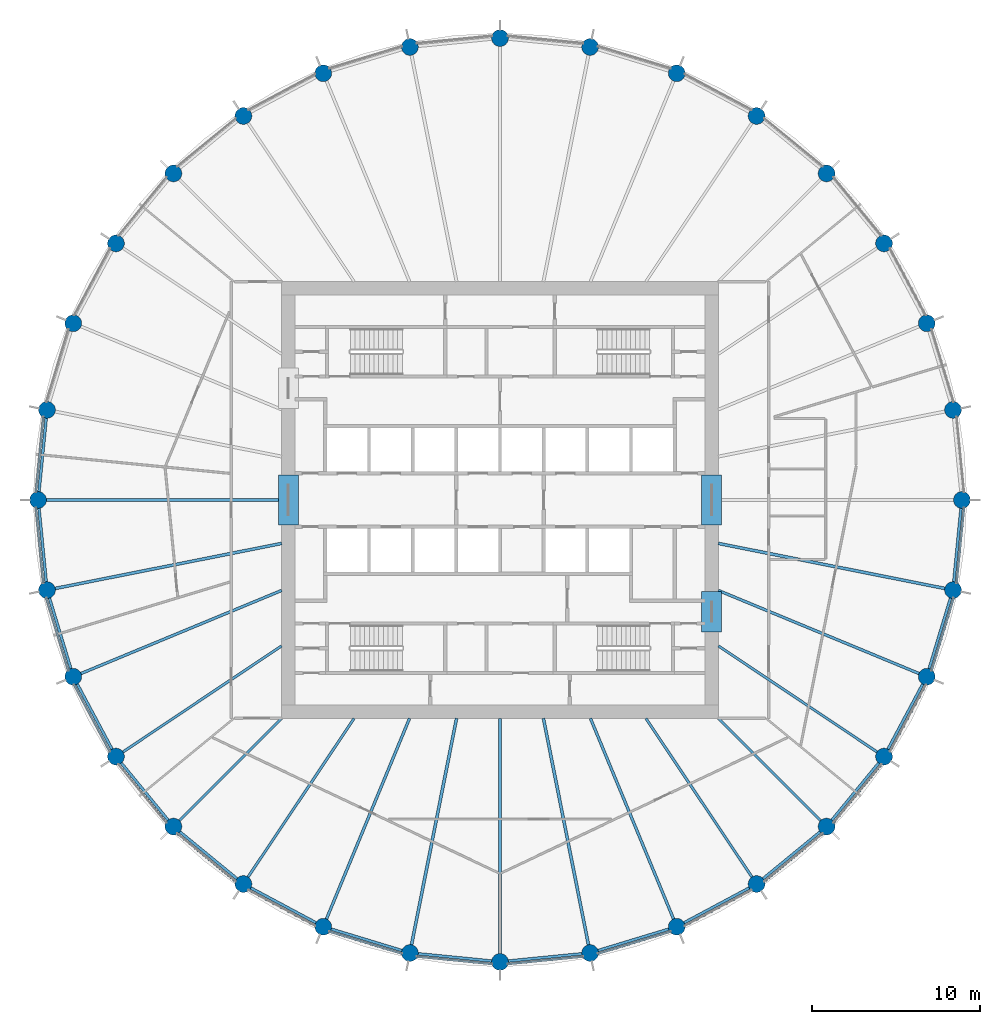
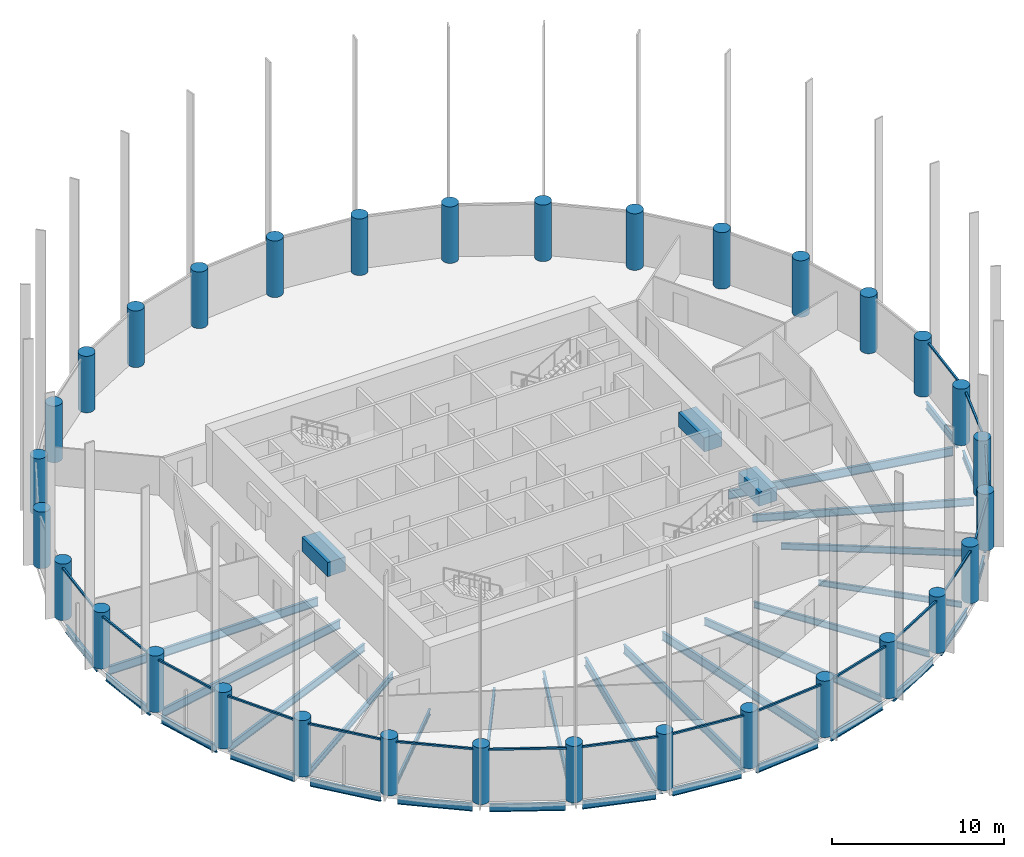
# One storey, part 1 of 9: 36 beams, 32 columns, 17 members, 17 elements without a shape of their own.
"""IFC4 building model written with IfcOpenShell, lengths in metres."""

from ifc_helpers import new_model, si_unit, direction, frame, origin, origin_2d, place, context, subcontext, project, spatial, rectangle, circle, i_section, extrude, material, material_profile, profile_set, type_object, element, aggregate, save


model = new_model("IFC4")

# Units and contexts
model_context = context("Model", 3, precision=1e-05, world=origin(), true_north=direction((0.0, 1.0)))
body_context = subcontext(model_context, "Body", "Model", "MODEL_VIEW")
ifc_project = project(units=[si_unit("LENGTHUNIT", "METRE"), si_unit("AREAUNIT", "SQUARE_METRE"), si_unit("VOLUMEUNIT", "CUBIC_METRE"), si_unit("PLANEANGLEUNIT", "RADIAN"), si_unit("MASSUNIT", "GRAM", prefix="KILO")], contexts=[model_context])

# Site, building, storey
site_placement = place(None, origin())
site = spatial("IfcSite", under=ifc_project, at=site_placement, CompositionType="ELEMENT")
building_placement = place(site_placement, origin())
building = spatial("IfcBuilding", under=site, at=building_placement, Name="Corvane Civic Tower", CompositionType="ELEMENT")
storey_placement = place(building_placement, frame((0.0, 0.0, 217.5)))
storey = spatial("IfcBuildingStorey", under=building, at=storey_placement, Name="L51", CompositionType="ELEMENT", Elevation=217.5)

# Columns
ifc_material_1 = material(Name="Concrete C60/75", Category="concrete")
ifc_material_profile_1 = material_profile(ifc_material_1, circle(Radius=0.5, at=origin_2d()), Name="COLUMN 1000")
ifc_profile_set_1 = profile_set([ifc_material_profile_1], Name="Concrete C60/75")
column_type = type_object("IfcColumnType", Name="RC COLUMN COLUMN 1000", PredefinedType="COLUMN", material=ifc_profile_set_1)
for number, where, z_axis, x_axis, name in (
    (1, (0.0, 27.5, 0.0), (0.0, 0.0, 1.0), (1.0, 0.0, 0.0), "COL-L51-D01"),
    (2, (5.364990234375, 26.9716796875, 0.0), (0.0, 0.0, 1.0), (1.0, 0.0, 0.0), "COL-L51-D02"),
    (3, (10.523681640625, 25.40673828125, 0.0), (0.0, 0.0, 1.0), (1.0, 0.0, 0.0), "COL-L51-D03"),
    (4, (15.278076171875, 22.865478515625, 0.0), (0.0, 0.0, 1.0), (1.0, 0.0, 0.0), "COL-L51-D04"),
    (5, (19.445556640625, 19.445556640625, 0.0), (0.0, 0.0, 1.0), (1.0, 0.0, 0.0), "COL-L51-D05"),
    (6, (22.865478515625, 15.278076171875, 0.0), (0.0, 0.0, 1.0), (1.0, 0.0, 0.0), "COL-L51-D06"),
    (7, (25.40673828125, 10.523681640625, 0.0), (0.0, 0.0, 1.0), (1.0, 0.0, 0.0), "COL-L51-D07"),
    (8, (26.9716796875, 5.364990234375, 0.0), (0.0, 0.0, 1.0), (1.0, 0.0, 0.0), "COL-L51-D08"),
    (9, (27.5, 0.0, 0.0), (0.0, 0.0, 1.0), (1.0, 0.0, 0.0), "COL-L51-D09"),
    (10, (26.9716796875, -5.364990234375, 0.0), (0.0, 0.0, 1.0), (1.0, 0.0, 0.0), "COL-L51-D10"),
    (11, (25.40673828125, -10.523681640625, 0.0), (0.0, 0.0, 1.0), (1.0, 0.0, 0.0), "COL-L51-D11"),
    (12, (22.865478515625, -15.278076171875, 0.0), (0.0, 0.0, 1.0), (1.0, 0.0, 0.0), "COL-L51-D12"),
    (13, (19.445556640625, -19.445556640625, 0.0), (0.0, 0.0, 1.0), (1.0, 0.0, 0.0), "COL-L51-D13"),
    (14, (15.278076171875, -22.865478515625, 0.0), (0.0, 0.0, 1.0), (1.0, 0.0, 0.0), "COL-L51-D14"),
    (15, (10.523681640625, -25.40673828125, 0.0), (0.0, 0.0, 1.0), (1.0, 0.0, 0.0), "COL-L51-D15"),
    (16, (5.364990234375, -26.9716796875, 0.0), (0.0, 0.0, 1.0), (1.0, 0.0, 0.0), "COL-L51-D16"),
    (17, (0.0, -27.5, 0.0), (0.0, 0.0, 1.0), (1.0, 0.0, 0.0), "COL-L51-D17"),
    (18, (-5.364990234375, -26.9716796875, 0.0), (0.0, 0.0, 1.0), (1.0, 0.0, 0.0), "COL-L51-D18"),
    (19, (-10.523681640625, -25.40673828125, 0.0), (0.0, 0.0, 1.0), (1.0, 0.0, 0.0), "COL-L51-D19"),
    (20, (-15.278076171875, -22.865478515625, 0.0), (0.0, 0.0, 1.0), (1.0, 0.0, 0.0), "COL-L51-D20"),
    (21, (-19.445556640625, -19.445556640625, 0.0), (0.0, 0.0, 1.0), (1.0, 0.0, 0.0), "COL-L51-D21"),
    (22, (-22.865478515625, -15.278076171875, 0.0), (0.0, 0.0, 1.0), (1.0, 0.0, 0.0), "COL-L51-D22"),
    (23, (-25.40673828125, -10.523681640625, 0.0), (0.0, 0.0, 1.0), (1.0, 0.0, 0.0), "COL-L51-D23"),
    (24, (-26.9716796875, -5.364990234375, 0.0), (0.0, 0.0, 1.0), (1.0, 0.0, 0.0), "COL-L51-D24"),
    (25, (-27.5, 0.0, 0.0), (0.0, 0.0, 1.0), (1.0, 0.0, 0.0), "COL-L51-D25"),
    (26, (-26.9716796875, 5.364990234375, 0.0), (0.0, 0.0, 1.0), (1.0, 0.0, 0.0), "COL-L51-D26"),
    (27, (-25.40673828125, 10.523681640625, 0.0), (0.0, 0.0, 1.0), (1.0, 0.0, 0.0), "COL-L51-D27"),
    (28, (-22.865478515625, 15.278076171875, 0.0), (0.0, 0.0, 1.0), (1.0, 0.0, 0.0), "COL-L51-D28"),
    (29, (-19.445556640625, 19.445556640625, 0.0), (0.0, 0.0, 1.0), (1.0, 0.0, 0.0), "COL-L51-D29"),
    (30, (-15.278076171875, 22.865478515625, 0.0), (0.0, 0.0, 1.0), (1.0, 0.0, 0.0), "COL-L51-D30"),
    (31, (-10.523681640625, 25.40673828125, 0.0), (0.0, 0.0, 1.0), (1.0, 0.0, 0.0), "COL-L51-D31"),
    (32, (-5.364990234375, 26.9716796875, 0.0), (0.0, 0.0, 1.0), (1.0, 0.0, 0.0), "COL-L51-D32"),
):
    element("IfcColumn", number, at=place(storey_placement, frame(where, z_axis=z_axis, x_axis=x_axis)), inside=storey, type_object=column_type, Name=name, PredefinedType="COLUMN", context=body_context, shape_type="SweptSolid", body=[
        extrude(circle(Radius=0.5, at=origin_2d()), origin(), (0.0, 0.0, 1.0), 4.0),
    ])

# Beams
ifc_material_2 = material(Name="Concrete C50/60", Category="concrete")
ifc_material_profile_2 = material_profile(ifc_material_2, rectangle(XDim=1.199951171875, YDim=1.0, at=origin_2d()), Name="COUPLING BEAM 1200X1000")
ifc_profile_set_2 = profile_set([ifc_material_profile_2], Name="Concrete C50/60")
beam_type_1 = type_object("IfcBeamType", Name="COUPLING BEAM COUPLING BEAM 1200X1000", PredefinedType="BEAM", material=ifc_profile_set_2)
for number, where, z_axis, x_axis, name in (
    (33, (-12.60009765625, -1.5, 2.60009765625), (0.0, 1.0, 0.0), (-1.0, 0.0, 0.0), "BM-L51-cpl-CW-LW"),
    (34, (12.60009765625, -1.5, 2.60009765625), (0.0, 1.0, 0.0), (-1.0, 0.0, 0.0), "BM-L51-cpl-CW-LE"),
):
    element("IfcBeam", number, at=place(storey_placement, frame(where, z_axis=z_axis, x_axis=x_axis)), inside=storey, type_object=beam_type_1, Name=name, PredefinedType="BEAM", context=body_context, shape_type="SweptSolid", body=[
        extrude(rectangle(XDim=1.199951171875, YDim=1.0, at=origin_2d()), origin(), (0.0, 0.0, 1.0), 3.0),
    ])
beam_1_placement = place(storey_placement, frame((12.60009765625, -7.85009765625, 2.60009765625), z_axis=(0.0, 1.0, 0.0), x_axis=(-1.0, 0.0, 0.0)))
element("IfcBeam", 35, at=beam_1_placement, inside=storey, type_object=beam_type_1, Name="BM-L51-cpl-CW-ES", PredefinedType="BEAM", context=body_context, shape_type="SweptSolid", body=[
    extrude(rectangle(XDim=1.199951171875, YDim=1.0, at=origin_2d()), origin(), (0.0, 0.0, 1.0), 2.400146484375),
])
ifc_material_3 = material(Name="Steel ASTM A992 Gr 50", Category="steel")
ifc_material_profile_3 = material_profile(ifc_material_3, i_section(OverallWidth=0.165771484375, OverallDepth=0.5283203125, WebThickness=0.009765625, FlangeThickness=0.013671875, at=origin_2d()), Name="W21X50")
ifc_profile_set_3 = profile_set([ifc_material_profile_3], Name="Steel ASTM A992 Gr 50")
beam_type_2 = type_object("IfcBeamType", Name="EDGE BEAM W21X50", PredefinedType="BEAM", material=ifc_profile_set_3)
beam_2_placement = place(storey_placement, frame((27.450927734375, -0.49755859375, -0.564208984375), z_axis=(-0.097967711281, -0.995189593769, 0.0), x_axis=(0.995189593769, -0.097967711281, 0.0)))
element("IfcBeam", 36, at=beam_2_placement, inside=storey, type_object=beam_type_2, Name="BM-L51-E09", PredefinedType="BEAM", context=body_context, shape_type="SweptSolid", body=[
    extrude(i_section(OverallWidth=0.165771484375, OverallDepth=0.5283203125, WebThickness=0.009765625, FlangeThickness=0.013671875, at=origin_2d()), origin(), (0.0, 0.0, 1.0), 4.39111328125),
])
beam_3_placement = place(storey_placement, frame((26.826416015625, -5.843505859375, -0.564208984375), z_axis=(-0.290254307888, -0.956949547653, 0.0), x_axis=(0.956949547653, -0.290254307888, 0.0)))
element("IfcBeam", 37, at=beam_3_placement, inside=storey, type_object=beam_type_2, Name="BM-L51-E10", PredefinedType="BEAM", context=body_context, shape_type="SweptSolid", body=[
    extrude(i_section(OverallWidth=0.165771484375, OverallDepth=0.5283203125, WebThickness=0.009765625, FlangeThickness=0.013671875, at=origin_2d()), origin(), (0.0, 0.0, 1.0), 4.390625),
])
for number, where, z_axis, x_axis, name in (
    (38, (25.171142578125, -10.964599609375, -0.564208984375), (-0.471422006704, -0.881907756852, 0.0), (0.881907756852, -0.471422006704, 0.0), "BM-L51-E11"),
    (39, (22.54833984375, -15.66455078125, -0.564208984375), (-0.634369433447, -0.773030026524, 0.0), (0.773030026524, -0.634369433447, 0.0), "BM-L51-E12"),
    (40, (19.05908203125, -19.7626953125, -0.564208984375), (-0.773030026524, -0.634369433447, 0.0), (0.634369433447, -0.773030026524, 0.0), "BM-L51-E13"),
    (41, (14.837158203125, -23.10107421875, -0.564208984375), (-0.881907756852, -0.471422006704, 0.0), (0.471422006704, -0.881907756852, 0.0), "BM-L51-E14"),
):
    element("IfcBeam", number, at=place(storey_placement, frame(where, z_axis=z_axis, x_axis=x_axis)), inside=storey, type_object=beam_type_2, Name=name, PredefinedType="BEAM", context=body_context, shape_type="SweptSolid", body=[
        extrude(i_section(OverallWidth=0.165771484375, OverallDepth=0.5283203125, WebThickness=0.009765625, FlangeThickness=0.013671875, at=origin_2d()), origin(), (0.0, 0.0, 1.0), 4.39111328125),
    ])
beam_4_placement = place(storey_placement, frame((10.045166015625, -25.552001953125, -0.564208984375), z_axis=(-0.956949547653, -0.290254307888, 0.0), x_axis=(0.290254307888, -0.956949547653, 0.0)))
element("IfcBeam", 42, at=beam_4_placement, inside=storey, type_object=beam_type_2, Name="BM-L51-E15", PredefinedType="BEAM", context=body_context, shape_type="SweptSolid", body=[
    extrude(i_section(OverallWidth=0.165771484375, OverallDepth=0.5283203125, WebThickness=0.009765625, FlangeThickness=0.013671875, at=origin_2d()), origin(), (0.0, 0.0, 1.0), 4.390625),
])
for number, where, z_axis, x_axis, name in (
    (43, (4.867431640625, -27.020751953125, -0.564208984375), (-0.995189593769, -0.097967711281, 0.0), (0.097967711281, -0.995189593769, 0.0), "BM-L51-E16"),
    (44, (-0.49755859375, -27.450927734375, -0.564208984375), (-0.995189593769, 0.097967711281, 0.0), (-0.097967711281, -0.995189593769, 0.0), "BM-L51-E17"),
):
    element("IfcBeam", number, at=place(storey_placement, frame(where, z_axis=z_axis, x_axis=x_axis)), inside=storey, type_object=beam_type_2, Name=name, PredefinedType="BEAM", context=body_context, shape_type="SweptSolid", body=[
        extrude(i_section(OverallWidth=0.165771484375, OverallDepth=0.5283203125, WebThickness=0.009765625, FlangeThickness=0.013671875, at=origin_2d()), origin(), (0.0, 0.0, 1.0), 4.39111328125),
    ])
beam_5_placement = place(storey_placement, frame((-5.843505859375, -26.826416015625, -0.564208984375), z_axis=(-0.956949547653, 0.290254307888, 0.0), x_axis=(-0.290254307888, -0.956949547653, 0.0)))
element("IfcBeam", 45, at=beam_5_placement, inside=storey, type_object=beam_type_2, Name="BM-L51-E18", PredefinedType="BEAM", context=body_context, shape_type="SweptSolid", body=[
    extrude(i_section(OverallWidth=0.165771484375, OverallDepth=0.5283203125, WebThickness=0.009765625, FlangeThickness=0.013671875, at=origin_2d()), origin(), (0.0, 0.0, 1.0), 4.390625),
])
for number, where, z_axis, x_axis, name in (
    (46, (-10.964599609375, -25.171142578125, -0.564208984375), (-0.881907756852, 0.471422006704, 0.0), (-0.471422006704, -0.881907756852, 0.0), "BM-L51-E19"),
    (47, (-15.66455078125, -22.54833984375, -0.564208984375), (-0.773030026524, 0.634369433447, 0.0), (-0.634369433447, -0.773030026524, 0.0), "BM-L51-E20"),
    (48, (-19.7626953125, -19.05908203125, -0.564208984375), (-0.634369433447, 0.773030026524, 0.0), (-0.773030026524, -0.634369433447, 0.0), "BM-L51-E21"),
    (49, (-23.10107421875, -14.837158203125, -0.564208984375), (-0.471422006704, 0.881907756852, 0.0), (-0.881907756852, -0.471422006704, 0.0), "BM-L51-E22"),
):
    element("IfcBeam", number, at=place(storey_placement, frame(where, z_axis=z_axis, x_axis=x_axis)), inside=storey, type_object=beam_type_2, Name=name, PredefinedType="BEAM", context=body_context, shape_type="SweptSolid", body=[
        extrude(i_section(OverallWidth=0.165771484375, OverallDepth=0.5283203125, WebThickness=0.009765625, FlangeThickness=0.013671875, at=origin_2d()), origin(), (0.0, 0.0, 1.0), 4.39111328125),
    ])
beam_6_placement = place(storey_placement, frame((-25.552001953125, -10.045166015625, -0.564208984375), z_axis=(-0.290254307888, 0.956949547653, 0.0), x_axis=(-0.956949547653, -0.290254307888, 0.0)))
element("IfcBeam", 50, at=beam_6_placement, inside=storey, type_object=beam_type_2, Name="BM-L51-E23", PredefinedType="BEAM", context=body_context, shape_type="SweptSolid", body=[
    extrude(i_section(OverallWidth=0.165771484375, OverallDepth=0.5283203125, WebThickness=0.009765625, FlangeThickness=0.013671875, at=origin_2d()), origin(), (0.0, 0.0, 1.0), 4.390625),
])
for number, where, z_axis, x_axis, name in (
    (51, (-27.020751953125, -4.867431640625, -0.564208984375), (-0.097967711281, 0.995189593769, 0.0), (-0.995189593769, -0.097967711281, 0.0), "BM-L51-E24"),
    (52, (-27.450927734375, 0.49755859375, -0.564208984375), (0.097967711281, 0.995189593769, 0.0), (-0.995189593769, 0.097967711281, 0.0), "BM-L51-E25"),
):
    element("IfcBeam", number, at=place(storey_placement, frame(where, z_axis=z_axis, x_axis=x_axis)), inside=storey, type_object=beam_type_2, Name=name, PredefinedType="BEAM", context=body_context, shape_type="SweptSolid", body=[
        extrude(i_section(OverallWidth=0.165771484375, OverallDepth=0.5283203125, WebThickness=0.009765625, FlangeThickness=0.013671875, at=origin_2d()), origin(), (0.0, 0.0, 1.0), 4.39111328125),
    ])
ifc_material_4 = material(Name="Steel ASTM A992 Gr 50", Category="steel")
ifc_material_profile_4 = material_profile(ifc_material_4, i_section(OverallWidth=0.140380859375, OverallDepth=0.40380859375, WebThickness=0.007080078125, FlangeThickness=0.01123046875, at=origin_2d()), Name="W16X31")
ifc_profile_set_4 = profile_set([ifc_material_profile_4], Name="Steel ASTM A992 Gr 50")
beam_type_3 = type_object("IfcBeamType", Name="FLOOR GIRDER W16X31", PredefinedType="BEAM", material=ifc_profile_set_4)
for number, where, z_axis, x_axis, name in (
    (53, (13.0, -13.0, -0.501953125), (0.707106781187, -0.707106781187, 0.0), (0.707106781187, 0.707106781187, 0.0), "BM-L51-G13"),
    (54, (-13.0, -13.0, -0.501953125), (-0.707106781187, -0.707106781187, 0.0), (0.707106781187, -0.707106781187, 0.0), "BM-L51-G21"),
):
    element("IfcBeam", number, at=place(storey_placement, frame(where, z_axis=z_axis, x_axis=x_axis)), inside=storey, type_object=beam_type_3, Name=name, PredefinedType="BEAM", context=body_context, shape_type="SweptSolid", body=[
        extrude(i_section(OverallWidth=0.140380859375, OverallDepth=0.40380859375, WebThickness=0.007080078125, FlangeThickness=0.01123046875, at=origin_2d()), origin(), (0.0, 0.0, 1.0), 8.614990234375),
    ])
ifc_material_5 = material(Name="Steel ASTM A992 Gr 50", Category="steel")
ifc_material_profile_5 = material_profile(ifc_material_5, i_section(OverallWidth=0.15283203125, OverallDepth=0.45458984375, WebThickness=0.008056640625, FlangeThickness=0.013427734375, at=origin_2d()), Name="W18X40")
ifc_profile_set_5 = profile_set([ifc_material_profile_5], Name="Steel ASTM A992 Gr 50")
beam_type_4 = type_object("IfcBeamType", Name="FLOOR GIRDER W18X40", PredefinedType="BEAM", material=ifc_profile_set_5)
for number, where, z_axis, x_axis, name in (
    (55, (13.0, -8.686279296875, -0.52734375), (0.831464872557, -0.555577326485, 0.0), (0.555577326485, 0.831464872557, 0.0), "BM-L51-G12"),
    (56, (8.686279296875, -13.0, -0.52734375), (0.555577326485, -0.831464872557, 0.0), (0.831464872557, 0.555577326485, 0.0), "BM-L51-G14"),
    (57, (-8.686279296875, -13.0, -0.52734375), (-0.555577326485, -0.831464872557, 0.0), (0.831464872557, -0.555577326485, 0.0), "BM-L51-G20"),
    (58, (-13.0, -8.686279296875, -0.52734375), (-0.831464872557, -0.555577326485, 0.0), (0.555577326485, -0.831464872557, 0.0), "BM-L51-G22"),
):
    element("IfcBeam", number, at=place(storey_placement, frame(where, z_axis=z_axis, x_axis=x_axis)), inside=storey, type_object=beam_type_4, Name=name, PredefinedType="BEAM", context=body_context, shape_type="SweptSolid", body=[
        extrude(i_section(OverallWidth=0.15283203125, OverallDepth=0.45458984375, WebThickness=0.008056640625, FlangeThickness=0.013427734375, at=origin_2d()), origin(), (0.0, 0.0, 1.0), 11.365234375),
    ])
ifc_material_6 = material(Name="Steel ASTM A992 Gr 50", Category="steel")
ifc_material_profile_6 = material_profile(ifc_material_6, i_section(OverallWidth=0.165771484375, OverallDepth=0.5283203125, WebThickness=0.009765625, FlangeThickness=0.013671875, at=origin_2d()), Name="W21X50")
ifc_profile_set_6 = profile_set([ifc_material_profile_6], Name="Steel ASTM A992 Gr 50")
beam_type_5 = type_object("IfcBeamType", Name="FLOOR GIRDER W21X50", PredefinedType="BEAM", material=ifc_profile_set_6)
for number, where, z_axis, x_axis, name in (
    (59, (13.0, -5.384765625, -0.564208984375), (0.923878282404, -0.382686450378, 0.0), (0.382686450378, 0.923878282404, 0.0), "BM-L51-G11"),
    (60, (5.384765625, -13.0, -0.564208984375), (0.382686450378, -0.923878282404, 0.0), (0.923878282404, 0.382686450378, 0.0), "BM-L51-G15"),
    (61, (-5.384765625, -13.0, -0.564208984375), (-0.382686450378, -0.923878282404, 0.0), (0.923878282404, -0.382686450378, 0.0), "BM-L51-G19"),
    (62, (-13.0, -5.384765625, -0.564208984375), (-0.923878282404, -0.382686450378, 0.0), (0.382686450378, -0.923878282404, 0.0), "BM-L51-G23"),
):
    element("IfcBeam", number, at=place(storey_placement, frame(where, z_axis=z_axis, x_axis=x_axis)), inside=storey, type_object=beam_type_5, Name=name, PredefinedType="BEAM", context=body_context, shape_type="SweptSolid", body=[
        extrude(i_section(OverallWidth=0.165771484375, OverallDepth=0.5283203125, WebThickness=0.009765625, FlangeThickness=0.013671875, at=origin_2d()), origin(), (0.0, 0.0, 1.0), 12.928955078125),
    ])
ifc_material_7 = material(Name="Steel ASTM A992 Gr 50", Category="steel")
ifc_material_profile_7 = material_profile(ifc_material_7, i_section(OverallWidth=0.177978515625, OverallDepth=0.599365234375, WebThickness=0.010009765625, FlangeThickness=0.012939453125, at=origin_2d()), Name="W24X55")
ifc_profile_set_7 = profile_set([ifc_material_profile_7], Name="Steel ASTM A992 Gr 50")
beam_type_6 = type_object("IfcBeamType", Name="FLOOR GIRDER W24X55", PredefinedType="BEAM", material=ifc_profile_set_7)
for number, where, z_axis, x_axis, name in (
    (63, (13.0, -2.5859375, -0.599609375), (0.980787802109, -0.195077644118, 0.0), (0.195077644118, 0.980787802109, 0.0), "BM-L51-G10"),
    (64, (2.5859375, -13.0, -0.599609375), (0.195077644118, -0.980787802109, 0.0), (0.980787802109, 0.195077644118, 0.0), "BM-L51-G16"),
):
    element("IfcBeam", number, at=place(storey_placement, frame(where, z_axis=z_axis, x_axis=x_axis)), inside=storey, type_object=beam_type_6, Name=name, PredefinedType="BEAM", context=body_context, shape_type="SweptSolid", body=[
        extrude(i_section(OverallWidth=0.177978515625, OverallDepth=0.599365234375, WebThickness=0.010009765625, FlangeThickness=0.012939453125, at=origin_2d()), origin(), (0.0, 0.0, 1.0), 13.745361328125),
    ])
beam_7_placement = place(storey_placement, frame((0.0, -13.0, -0.599609375), z_axis=(0.0, -1.0, 0.0), x_axis=(1.0, 0.0, 0.0)))
element("IfcBeam", 65, at=beam_7_placement, inside=storey, type_object=beam_type_6, Name="BM-L51-G17", PredefinedType="BEAM", context=body_context, shape_type="SweptSolid", body=[
    extrude(i_section(OverallWidth=0.177978515625, OverallDepth=0.599365234375, WebThickness=0.010009765625, FlangeThickness=0.012939453125, at=origin_2d()), origin(), (0.0, 0.0, 1.0), 14.0),
])
for number, where, z_axis, x_axis, name in (
    (66, (-2.5859375, -13.0, -0.599609375), (-0.195077644118, -0.980787802109, 0.0), (0.980787802109, -0.195077644118, 0.0), "BM-L51-G18"),
    (67, (-13.0, -2.5859375, -0.599609375), (-0.980787802109, -0.195077644118, 0.0), (0.195077644118, -0.980787802109, 0.0), "BM-L51-G24"),
):
    element("IfcBeam", number, at=place(storey_placement, frame(where, z_axis=z_axis, x_axis=x_axis)), inside=storey, type_object=beam_type_6, Name=name, PredefinedType="BEAM", context=body_context, shape_type="SweptSolid", body=[
        extrude(i_section(OverallWidth=0.177978515625, OverallDepth=0.599365234375, WebThickness=0.010009765625, FlangeThickness=0.012939453125, at=origin_2d()), origin(), (0.0, 0.0, 1.0), 13.745361328125),
    ])
beam_8_placement = place(storey_placement, frame((-13.0, 0.0, -0.599609375), z_axis=(-1.0, 0.0, 0.0), x_axis=(0.0, -1.0, 0.0)))
element("IfcBeam", 68, at=beam_8_placement, inside=storey, type_object=beam_type_6, Name="BM-L51-G25", PredefinedType="BEAM", context=body_context, shape_type="SweptSolid", body=[
    extrude(i_section(OverallWidth=0.177978515625, OverallDepth=0.599365234375, WebThickness=0.010009765625, FlangeThickness=0.012939453125, at=origin_2d()), origin(), (0.0, 0.0, 1.0), 14.0),
])

# Curtain wall, member
ifc_material_8 = material(Name="Anodised aluminium bronze", Category="aluminium")
curtain_wall_type = type_object("IfcCurtainWallType", Name="TOWER CW-T2 STICK CURTAIN WALL", PredefinedType="NOTDEFINED", material=ifc_material_8)
curtain_wall_1_placement = place(storey_placement, origin())
curtain_wall_1 = element("IfcCurtainWall", 69, at=curtain_wall_1_placement, inside=storey, type_object=curtain_wall_type, Name="Curtain wall CW-T2 L51 bay 09", PredefinedType="NOTDEFINED")
ifc_material_9 = material(Name="Anodised aluminium bronze", Category="aluminium")
ifc_material_profile_8 = material_profile(ifc_material_9, rectangle(XDim=0.1201171875, YDim=0.1201171875, at=origin_2d()), Name="TOWER CW-T2 TRANSOM 120x120")
ifc_profile_set_8 = profile_set([ifc_material_profile_8], Name="Anodised aluminium bronze")
member_type = type_object("IfcMemberType", Name="TOWER CW-T2 TRANSOM 120x120", PredefinedType="USERDEFINED", material=ifc_profile_set_8)
member_1_placement = place(storey_placement, frame((27.635498046875, -0.452392578125, 3.68994140625), z_axis=(-0.098042715701, -0.995182207386, 0.0), x_axis=(0.995182207386, -0.098042715701, 0.0)))
member_1 = element("IfcMember", 70, at=member_1_placement, type_object=member_type, Name="Transom CW-T2 L51 09.1", ObjectType="TRANSOM", PredefinedType="USERDEFINED", context=body_context, shape_type="SweptSolid", body=[
    extrude(rectangle(XDim=0.1201171875, YDim=0.1201171875, at=origin_2d()), origin(), (0.0, 0.0, 1.0), 4.51708984375),
])
aggregate(curtain_wall_1, [member_1])

curtain_wall_2_placement = place(storey_placement, origin())
curtain_wall_2 = element("IfcCurtainWall", 71, at=curtain_wall_2_placement, inside=storey, type_object=curtain_wall_type, Name="Curtain wall CW-T2 L51 bay 10", PredefinedType="NOTDEFINED")
member_2_placement = place(storey_placement, frame((27.016357421875, -5.8349609375, 3.68994140625), z_axis=(-0.2902818869, -0.956941182173, 0.0), x_axis=(0.956941182173, -0.2902818869, 0.0)))
member_2 = element("IfcMember", 72, at=member_2_placement, type_object=member_type, Name="Transom CW-T2 L51 10.1", ObjectType="TRANSOM", PredefinedType="USERDEFINED", context=body_context, shape_type="SweptSolid", body=[
    extrude(rectangle(XDim=0.1201171875, YDim=0.1201171875, at=origin_2d()), origin(), (0.0, 0.0, 1.0), 4.517333984375),
])
aggregate(curtain_wall_2, [member_2])

curtain_wall_3_placement = place(storey_placement, origin())
curtain_wall_3 = element("IfcCurtainWall", 73, at=curtain_wall_3_placement, inside=storey, type_object=curtain_wall_type, Name="Curtain wall CW-T2 L51 bay 11", PredefinedType="NOTDEFINED")
member_3_placement = place(storey_placement, frame((25.35888671875, -10.993408203125, 3.68994140625), z_axis=(-0.471390317183, -0.881924695689, 0.0), x_axis=(0.881924695689, -0.471390317183, 0.0)))
member_3 = element("IfcMember", 74, at=member_3_placement, type_object=member_type, Name="Transom CW-T2 L51 11.1", ObjectType="TRANSOM", PredefinedType="USERDEFINED", context=body_context, shape_type="SweptSolid", body=[
    extrude(rectangle(XDim=0.1201171875, YDim=0.1201171875, at=origin_2d()), origin(), (0.0, 0.0, 1.0), 4.517333984375),
])
aggregate(curtain_wall_3, [member_3])

curtain_wall_4_placement = place(storey_placement, origin())
curtain_wall_4 = element("IfcCurtainWall", 75, at=curtain_wall_4_placement, inside=storey, type_object=curtain_wall_type, Name="Curtain wall CW-T2 L51 bay 12", PredefinedType="NOTDEFINED")
member_4_placement = place(storey_placement, frame((22.726806640625, -15.7294921875, 3.68994140625), z_axis=(-0.634387834569, -0.773014925698, 0.0), x_axis=(0.773014925698, -0.634387834569, 0.0)))
member_4 = element("IfcMember", 76, at=member_4_placement, type_object=member_type, Name="Transom CW-T2 L51 12.1", ObjectType="TRANSOM", PredefinedType="USERDEFINED", context=body_context, shape_type="SweptSolid", body=[
    extrude(rectangle(XDim=0.1201171875, YDim=0.1201171875, at=origin_2d()), origin(), (0.0, 0.0, 1.0), 4.517333984375),
])
aggregate(curtain_wall_4, [member_4])

curtain_wall_5_placement = place(storey_placement, origin())
curtain_wall_5 = element("IfcCurtainWall", 77, at=curtain_wall_5_placement, inside=storey, type_object=curtain_wall_type, Name="Curtain wall CW-T2 L51 bay 13", PredefinedType="NOTDEFINED")
member_5_placement = place(storey_placement, frame((19.221435546875, -19.861083984375, 3.68994140625), z_axis=(-0.773014925698, -0.634387834569, 0.0), x_axis=(0.634387834569, -0.773014925698, 0.0)))
member_5 = element("IfcMember", 78, at=member_5_placement, type_object=member_type, Name="Transom CW-T2 L51 13.1", ObjectType="TRANSOM", PredefinedType="USERDEFINED", context=body_context, shape_type="SweptSolid", body=[
    extrude(rectangle(XDim=0.1201171875, YDim=0.1201171875, at=origin_2d()), origin(), (0.0, 0.0, 1.0), 4.517333984375),
])
aggregate(curtain_wall_5, [member_5])

curtain_wall_6_placement = place(storey_placement, origin())
curtain_wall_6 = element("IfcCurtainWall", 79, at=curtain_wall_6_placement, inside=storey, type_object=curtain_wall_type, Name="Curtain wall CW-T2 L51 bay 14", PredefinedType="NOTDEFINED")
member_6_placement = place(storey_placement, frame((14.977294921875, -23.2294921875, 3.68994140625), z_axis=(-0.881924695689, -0.471390317183, 0.0), x_axis=(0.471390317183, -0.881924695689, 0.0)))
member_6 = element("IfcMember", 80, at=member_6_placement, type_object=member_type, Name="Transom CW-T2 L51 14.1", ObjectType="TRANSOM", PredefinedType="USERDEFINED", context=body_context, shape_type="SweptSolid", body=[
    extrude(rectangle(XDim=0.1201171875, YDim=0.1201171875, at=origin_2d()), origin(), (0.0, 0.0, 1.0), 4.517333984375),
])
aggregate(curtain_wall_6, [member_6])

curtain_wall_7_placement = place(storey_placement, origin())
curtain_wall_7 = element("IfcCurtainWall", 81, at=curtain_wall_7_placement, inside=storey, type_object=curtain_wall_type, Name="Curtain wall CW-T2 L51 bay 15", PredefinedType="NOTDEFINED")
member_7_placement = place(storey_placement, frame((10.15771484375, -25.705078125, 3.68994140625), z_axis=(-0.956941182173, -0.2902818869, 0.0), x_axis=(0.2902818869, -0.956941182173, 0.0)))
member_7 = element("IfcMember", 82, at=member_7_placement, type_object=member_type, Name="Transom CW-T2 L51 15.1", ObjectType="TRANSOM", PredefinedType="USERDEFINED", context=body_context, shape_type="SweptSolid", body=[
    extrude(rectangle(XDim=0.1201171875, YDim=0.1201171875, at=origin_2d()), origin(), (0.0, 0.0, 1.0), 4.517333984375),
])
aggregate(curtain_wall_7, [member_7])

curtain_wall_8_placement = place(storey_placement, origin())
curtain_wall_8 = element("IfcCurtainWall", 83, at=curtain_wall_8_placement, inside=storey, type_object=curtain_wall_type, Name="Curtain wall CW-T2 L51 bay 16", PredefinedType="NOTDEFINED")
member_8_placement = place(storey_placement, frame((4.94775390625, -27.192626953125, 3.68994140625), z_axis=(-0.995182207386, -0.098042715701, 0.0), x_axis=(0.098042715701, -0.995182207386, 0.0)))
member_8 = element("IfcMember", 84, at=member_8_placement, type_object=member_type, Name="Transom CW-T2 L51 16.1", ObjectType="TRANSOM", PredefinedType="USERDEFINED", context=body_context, shape_type="SweptSolid", body=[
    extrude(rectangle(XDim=0.1201171875, YDim=0.1201171875, at=origin_2d()), origin(), (0.0, 0.0, 1.0), 4.51708984375),
])
aggregate(curtain_wall_8, [member_8])

curtain_wall_9_placement = place(storey_placement, origin())
curtain_wall_9 = element("IfcCurtainWall", 85, at=curtain_wall_9_placement, inside=storey, type_object=curtain_wall_type, Name="Curtain wall CW-T2 L51 bay 17", PredefinedType="NOTDEFINED")
member_9_placement = place(storey_placement, frame((-0.452392578125, -27.635498046875, 3.68994140625), z_axis=(-0.995182207386, 0.098042715701, 0.0), x_axis=(-0.098042715701, -0.995182207386, 0.0)))
member_9 = element("IfcMember", 86, at=member_9_placement, type_object=member_type, Name="Transom CW-T2 L51 17.1", ObjectType="TRANSOM", PredefinedType="USERDEFINED", context=body_context, shape_type="SweptSolid", body=[
    extrude(rectangle(XDim=0.1201171875, YDim=0.1201171875, at=origin_2d()), origin(), (0.0, 0.0, 1.0), 4.51708984375),
])
aggregate(curtain_wall_9, [member_9])

curtain_wall_10_placement = place(storey_placement, origin())
curtain_wall_10 = element("IfcCurtainWall", 87, at=curtain_wall_10_placement, inside=storey, type_object=curtain_wall_type, Name="Curtain wall CW-T2 L51 bay 18", PredefinedType="NOTDEFINED")
member_10_placement = place(storey_placement, frame((-5.8349609375, -27.016357421875, 3.68994140625), z_axis=(-0.956941182173, 0.2902818869, 0.0), x_axis=(-0.2902818869, -0.956941182173, 0.0)))
member_10 = element("IfcMember", 88, at=member_10_placement, type_object=member_type, Name="Transom CW-T2 L51 18.1", ObjectType="TRANSOM", PredefinedType="USERDEFINED", context=body_context, shape_type="SweptSolid", body=[
    extrude(rectangle(XDim=0.1201171875, YDim=0.1201171875, at=origin_2d()), origin(), (0.0, 0.0, 1.0), 4.517333984375),
])
aggregate(curtain_wall_10, [member_10])

curtain_wall_11_placement = place(storey_placement, origin())
curtain_wall_11 = element("IfcCurtainWall", 89, at=curtain_wall_11_placement, inside=storey, type_object=curtain_wall_type, Name="Curtain wall CW-T2 L51 bay 19", PredefinedType="NOTDEFINED")
member_11_placement = place(storey_placement, frame((-10.993408203125, -25.35888671875, 3.68994140625), z_axis=(-0.881924695689, 0.471390317183, 0.0), x_axis=(-0.471390317183, -0.881924695689, 0.0)))
member_11 = element("IfcMember", 90, at=member_11_placement, type_object=member_type, Name="Transom CW-T2 L51 19.1", ObjectType="TRANSOM", PredefinedType="USERDEFINED", context=body_context, shape_type="SweptSolid", body=[
    extrude(rectangle(XDim=0.1201171875, YDim=0.1201171875, at=origin_2d()), origin(), (0.0, 0.0, 1.0), 4.517333984375),
])
aggregate(curtain_wall_11, [member_11])

curtain_wall_12_placement = place(storey_placement, origin())
curtain_wall_12 = element("IfcCurtainWall", 91, at=curtain_wall_12_placement, inside=storey, type_object=curtain_wall_type, Name="Curtain wall CW-T2 L51 bay 20", PredefinedType="NOTDEFINED")
member_12_placement = place(storey_placement, frame((-15.7294921875, -22.726806640625, 3.68994140625), z_axis=(-0.773014925698, 0.634387834569, 0.0), x_axis=(-0.634387834569, -0.773014925698, 0.0)))
member_12 = element("IfcMember", 92, at=member_12_placement, type_object=member_type, Name="Transom CW-T2 L51 20.1", ObjectType="TRANSOM", PredefinedType="USERDEFINED", context=body_context, shape_type="SweptSolid", body=[
    extrude(rectangle(XDim=0.1201171875, YDim=0.1201171875, at=origin_2d()), origin(), (0.0, 0.0, 1.0), 4.517333984375),
])
aggregate(curtain_wall_12, [member_12])

curtain_wall_13_placement = place(storey_placement, origin())
curtain_wall_13 = element("IfcCurtainWall", 93, at=curtain_wall_13_placement, inside=storey, type_object=curtain_wall_type, Name="Curtain wall CW-T2 L51 bay 21", PredefinedType="NOTDEFINED")
member_13_placement = place(storey_placement, frame((-19.861083984375, -19.221435546875, 3.68994140625), z_axis=(-0.634387834569, 0.773014925698, 0.0), x_axis=(-0.773014925698, -0.634387834569, 0.0)))
member_13 = element("IfcMember", 94, at=member_13_placement, type_object=member_type, Name="Transom CW-T2 L51 21.1", ObjectType="TRANSOM", PredefinedType="USERDEFINED", context=body_context, shape_type="SweptSolid", body=[
    extrude(rectangle(XDim=0.1201171875, YDim=0.1201171875, at=origin_2d()), origin(), (0.0, 0.0, 1.0), 4.517333984375),
])
aggregate(curtain_wall_13, [member_13])

curtain_wall_14_placement = place(storey_placement, origin())
curtain_wall_14 = element("IfcCurtainWall", 95, at=curtain_wall_14_placement, inside=storey, type_object=curtain_wall_type, Name="Curtain wall CW-T2 L51 bay 22", PredefinedType="NOTDEFINED")
member_14_placement = place(storey_placement, frame((-23.2294921875, -14.977294921875, 3.68994140625), z_axis=(-0.471390317183, 0.881924695689, 0.0), x_axis=(-0.881924695689, -0.471390317183, 0.0)))
member_14 = element("IfcMember", 96, at=member_14_placement, type_object=member_type, Name="Transom CW-T2 L51 22.1", ObjectType="TRANSOM", PredefinedType="USERDEFINED", context=body_context, shape_type="SweptSolid", body=[
    extrude(rectangle(XDim=0.1201171875, YDim=0.1201171875, at=origin_2d()), origin(), (0.0, 0.0, 1.0), 4.517333984375),
])
aggregate(curtain_wall_14, [member_14])

curtain_wall_15_placement = place(storey_placement, origin())
curtain_wall_15 = element("IfcCurtainWall", 97, at=curtain_wall_15_placement, inside=storey, type_object=curtain_wall_type, Name="Curtain wall CW-T2 L51 bay 23", PredefinedType="NOTDEFINED")
member_15_placement = place(storey_placement, frame((-25.705078125, -10.15771484375, 3.68994140625), z_axis=(-0.2902818869, 0.956941182173, 0.0), x_axis=(-0.956941182173, -0.2902818869, 0.0)))
member_15 = element("IfcMember", 98, at=member_15_placement, type_object=member_type, Name="Transom CW-T2 L51 23.1", ObjectType="TRANSOM", PredefinedType="USERDEFINED", context=body_context, shape_type="SweptSolid", body=[
    extrude(rectangle(XDim=0.1201171875, YDim=0.1201171875, at=origin_2d()), origin(), (0.0, 0.0, 1.0), 4.517333984375),
])
aggregate(curtain_wall_15, [member_15])

curtain_wall_16_placement = place(storey_placement, origin())
curtain_wall_16 = element("IfcCurtainWall", 99, at=curtain_wall_16_placement, inside=storey, type_object=curtain_wall_type, Name="Curtain wall CW-T2 L51 bay 24", PredefinedType="NOTDEFINED")
member_16_placement = place(storey_placement, frame((-27.192626953125, -4.94775390625, 3.68994140625), z_axis=(-0.098042715701, 0.995182207386, 0.0), x_axis=(-0.995182207386, -0.098042715701, 0.0)))
member_16 = element("IfcMember", 100, at=member_16_placement, type_object=member_type, Name="Transom CW-T2 L51 24.1", ObjectType="TRANSOM", PredefinedType="USERDEFINED", context=body_context, shape_type="SweptSolid", body=[
    extrude(rectangle(XDim=0.1201171875, YDim=0.1201171875, at=origin_2d()), origin(), (0.0, 0.0, 1.0), 4.51708984375),
])
aggregate(curtain_wall_16, [member_16])

curtain_wall_17_placement = place(storey_placement, origin())
curtain_wall_17 = element("IfcCurtainWall", 101, at=curtain_wall_17_placement, inside=storey, type_object=curtain_wall_type, Name="Curtain wall CW-T2 L51 bay 25", PredefinedType="NOTDEFINED")
member_17_placement = place(storey_placement, frame((-27.635498046875, 0.452392578125, 3.68994140625), z_axis=(0.098042715701, 0.995182207386, 0.0), x_axis=(-0.995182207386, 0.098042715701, 0.0)))
member_17 = element("IfcMember", 102, at=member_17_placement, type_object=member_type, Name="Transom CW-T2 L51 25.1", ObjectType="TRANSOM", PredefinedType="USERDEFINED", context=body_context, shape_type="SweptSolid", body=[
    extrude(rectangle(XDim=0.1201171875, YDim=0.1201171875, at=origin_2d()), origin(), (0.0, 0.0, 1.0), 4.51708984375),
])
aggregate(curtain_wall_17, [member_17])

save(model, "model.ifc")
